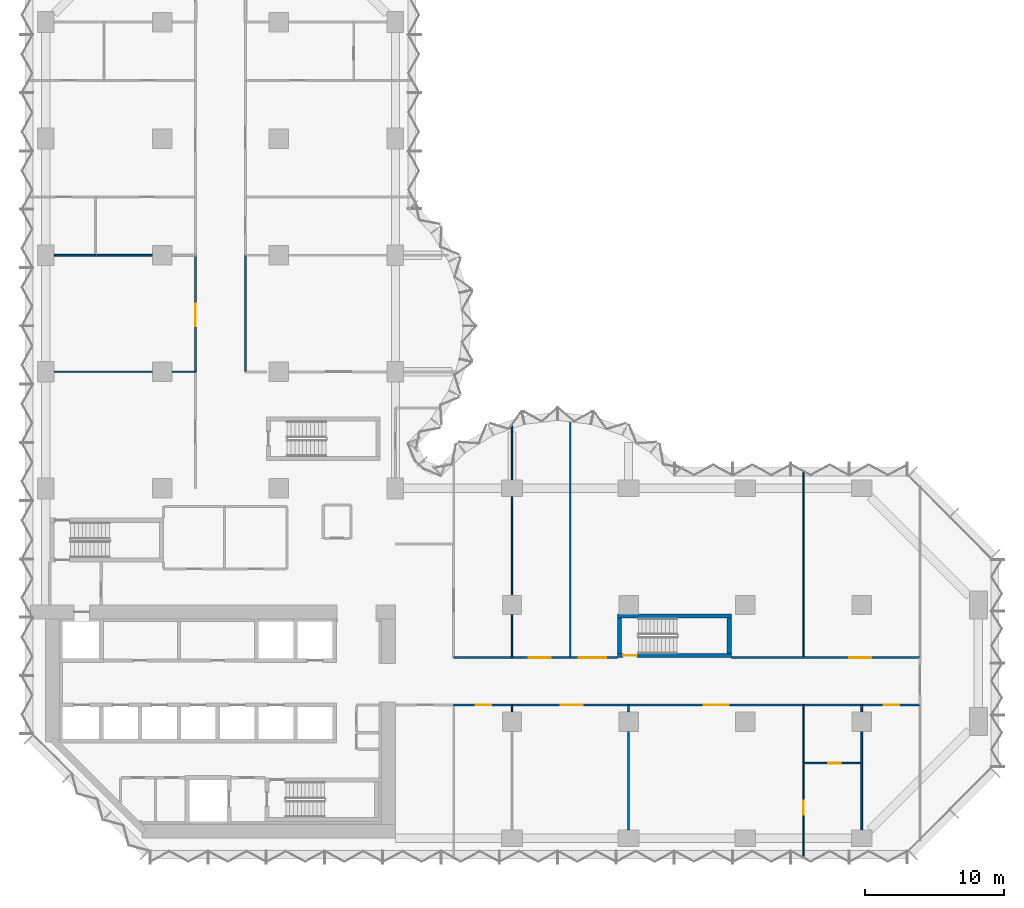
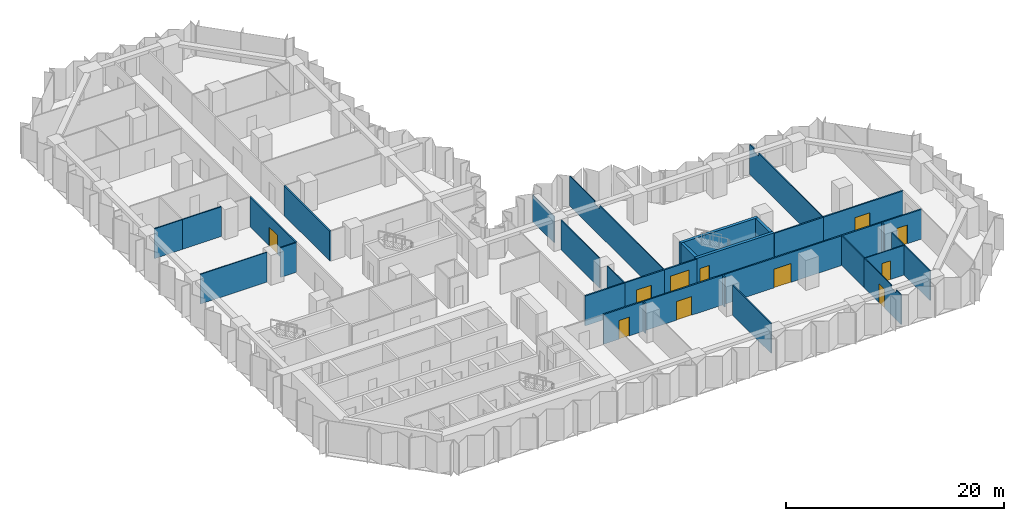
# One storey, part 10 of 15: 34 walls, 11 doors, 11 openings.
"""IFC4 building model written with IfcOpenShell, lengths in metres."""

from ifc_helpers import new_model, si_unit, direction, frame, frame_2d, origin, place, context, subcontext, project, spatial, polyline, rectangle, outline, extrude, material, layer, layer_set, type_object, element, fill, save


model = new_model("IFC4")

# Units and contexts
model_context = context("Model", 3, precision=1e-05, world=origin(), true_north=direction((0.0, 1.0)))
body_context = subcontext(model_context, "Body", "Model", "MODEL_VIEW")
ifc_project = project(units=[si_unit("LENGTHUNIT", "METRE"), si_unit("AREAUNIT", "SQUARE_METRE"), si_unit("VOLUMEUNIT", "CUBIC_METRE"), si_unit("PLANEANGLEUNIT", "RADIAN"), si_unit("MASSUNIT", "GRAM", prefix="KILO")], contexts=[model_context])

# Site, building, storey
site_placement = place(None, origin())
site = spatial("IfcSite", under=ifc_project, at=site_placement, CompositionType="ELEMENT")
building_placement = place(site_placement, origin())
building = spatial("IfcBuilding", under=site, at=building_placement, Name="Brevane Broadcast Tower", CompositionType="ELEMENT")
storey_placement = place(building_placement, frame((0.0, 0.0, 65.300048828125)))
storey = spatial("IfcBuildingStorey", under=building, at=storey_placement, Name="L14", CompositionType="ELEMENT", Elevation=65.300048828125)

# Wall, opening, door
ifc_material_1 = material(Name="Concrete C80/95", Category="concrete")
ifc_layer_1 = layer(ifc_material_1, 0.300048828125)
ifc_layer_set_1 = layer_set([ifc_layer_1], Name="Core wall 300 mm C80/95")
wall_type_1 = type_object("IfcWallType", Name="Core wall 300 mm C80/95", PredefinedType="SHEAR", material=ifc_layer_set_1)
wall_1_placement = place(storey_placement, frame((49.39990234375, 13.14990234375, 0.0), z_axis=(0.0, 0.0, 1.0), x_axis=(-1.0, 0.0, 0.0)))
wall_1 = element("IfcWall", 1, at=wall_1_placement, inside=storey, type_object=wall_type_1, Name="L14 stair wall ST-4-S", PredefinedType="SHEAR", context=body_context, shape_type="SweptSolid", body=[
    extrude(rectangle(XDim=8.199951171875, YDim=0.300048828125, at=frame_2d((4.10009765625, 0.0))), origin(), (0.0, 0.0, 1.0), 3.349853515625),
])
opening_1_placement = place(wall_1_placement, frame((6.800048828125, 0.0, 0.0)))
opening_1 = element("IfcOpeningElement", 2, at=opening_1_placement, cuts=wall_1, Name="Opening L14-K15", PredefinedType="OPENING", context=body_context, shape_type="SweptSolid", body=[
    extrude(rectangle(XDim=1.0, YDim=2.10009765625, at=frame_2d((0.5, 1.050048828125))), frame((0.0, 0.159912109375, 0.0), z_axis=(0.0, -1.0, 0.0), x_axis=(1.0, 0.0, 0.0)), (0.0, 0.0, 1.0), 0.320068359375),
])
ifc_material_2 = material(Name="Steel", Category="steel")
door_type_1 = type_object("IfcDoorType", Name="Stair door 1000 x 2100", OperationType="SINGLE_SWING_LEFT", PredefinedType="DOOR", material=ifc_material_2)
door_1_placement = place(opening_1_placement, origin())
door_1 = element("IfcDoor", 3, at=door_1_placement, inside=storey, type_object=door_type_1, Name="Door L14-K15", OperationType="SINGLE_SWING_RIGHT", OverallHeight=2.10009765625, OverallWidth=1.0, PredefinedType="DOOR", context=body_context, shape_type="SweptSolid", body=[
    extrude(rectangle(XDim=1.0, YDim=2.10009765625, at=frame_2d((0.5, 1.050048828125))), frame((0.0, 0.02490234375, 0.0), z_axis=(0.0, -1.0, 0.0), x_axis=(1.0, 0.0, 0.0)), (0.0, 0.0, 1.0), 0.050048828125),
])
fill(opening_1, door_1)

# Walls
wall_2_placement = place(storey_placement, frame((41.199951171875, 16.0, 0.0), z_axis=(0.0, 0.0, 1.0), x_axis=(1.0, 0.0, 0.0)))
element("IfcWall", 4, at=wall_2_placement, inside=storey, type_object=wall_type_1, Name="L14 stair wall ST-4-N", PredefinedType="SHEAR", context=body_context, shape_type="SweptSolid", body=[
    extrude(rectangle(XDim=8.199951171875, YDim=0.300048828125, at=frame_2d((4.10009765625, 0.0))), origin(), (0.0, 0.0, 1.0), 3.349853515625),
])
for number, where, z_axis, x_axis, name in (
    (5, (41.35009765625, 13.300048828125, 0.0), (0.0, 0.0, 1.0), (0.0, 1.0, 0.0), "L14 stair wall ST-4-W"),
    (6, (49.25, 13.300048828125, 0.0), (0.0, 0.0, 1.0), (0.0, 1.0, 0.0), "L14 stair wall ST-4-E"),
):
    element("IfcWall", number, at=place(storey_placement, frame(where, z_axis=z_axis, x_axis=x_axis)), inside=storey, type_object=wall_type_1, Name=name, PredefinedType="SHEAR", context=body_context, shape_type="SweptSolid", body=[
        extrude(rectangle(XDim=2.550048828125, YDim=0.300048828125, at=frame_2d((1.27490234375, 0.0))), origin(), (0.0, 0.0, 1.0), 3.349853515625),
    ])
ifc_material_3 = material(Name="Gypsum board partition")
ifc_layer_2 = layer(ifc_material_3, 0.10009765625)
ifc_layer_set_2 = layer_set([ifc_layer_2], Name="PARTITION 100 STUD")
wall_type_2 = type_object("IfcWallType", Name="PARTITION 100 STUD", PredefinedType="PARTITIONING", material=ifc_layer_set_2)
wall_3_placement = place(storey_placement, frame((33.60009765625, 9.60009765625, 0.0), z_axis=(0.0, 0.0, 1.0), x_axis=(0.0, -1.0, 0.0)))
element("IfcWall", 7, at=wall_3_placement, inside=storey, type_object=wall_type_2, Name="Partition G03-021", PredefinedType="PARTITIONING", context=body_context, shape_type="SweptSolid", body=[
    extrude(rectangle(XDim=0.47998046875, YDim=0.10009765625, at=frame_2d((0.239990234375, 0.0))), origin(), (0.0, 0.0, 1.0), 3.329833984375),
])

# Wall, opening, door
wall_4_placement = place(storey_placement, frame((54.60009765625, 5.39990234375, 0.0), z_axis=(0.0, 0.0, 1.0), x_axis=(0.0, -1.0, 0.0)))
wall_4 = element("IfcWall", 8, at=wall_4_placement, inside=storey, type_object=wall_type_2, Name="Partition G03-025", PredefinedType="PARTITIONING", context=body_context, shape_type="SweptSolid", body=[
    extrude(outline(polyline([(0.0, 0.0), (6.764892578125, 0.0), (6.764892578125, 3.329833984375), (6.5, 3.329833984375), (5.85009765625, 3.329833984375), (5.847900390625, 2.97998046875), (4.951904296875, 2.97998046875), (4.949951171875, 3.329833984375), (0.0, 3.329833984375), (0.0, 0.0)])), frame((0.0, 0.050048828125, 0.0), z_axis=(0.0, -1.0, 0.0), x_axis=(1.0, 0.0, 0.0)), (0.0, 0.0, 1.0), 0.10009765625),
])
opening_2_placement = place(wall_4_placement, frame((2.699951171875, 0.0, 0.0)))
opening_2 = element("IfcOpeningElement", 9, at=opening_2_placement, cuts=wall_4, Name="Opening D09-007", PredefinedType="OPENING", context=body_context, shape_type="SweptSolid", body=[
    extrude(rectangle(XDim=1.0, YDim=2.10009765625, at=frame_2d((0.5, 1.050048828125))), frame((0.0, 0.06005859375, 0.0), z_axis=(0.0, -1.0, 0.0), x_axis=(1.0, 0.0, 0.0)), (0.0, 0.0, 1.0), 0.1201171875),
])
ifc_material_4 = material(Name="Timber door leaf", Category="wood")
door_type_2 = type_object("IfcDoorType", Name="DOOR SINGLE 1000 INTERNAL", OperationType="SINGLE_SWING_LEFT", PredefinedType="DOOR", material=ifc_material_4)
door_2_placement = place(opening_2_placement, origin())
door_2 = element("IfcDoor", 10, at=door_2_placement, inside=storey, type_object=door_type_2, Name="Door D09-007", OperationType="SINGLE_SWING_LEFT", OverallHeight=2.10009765625, OverallWidth=1.0, PredefinedType="DOOR", context=body_context, shape_type="SweptSolid", body=[
    extrude(rectangle(XDim=1.0, YDim=2.10009765625, at=frame_2d((0.5, 1.050048828125))), frame((0.0, 0.02490234375, 0.0), z_axis=(0.0, -1.0, 0.0), x_axis=(1.0, 0.0, 0.0)), (0.0, 0.0, 1.0), 0.050048828125),
])
fill(opening_2, door_2)

# Wall
wall_5_placement = place(storey_placement, frame((54.60009765625, 9.60009765625, 0.0), z_axis=(0.0, 0.0, 1.0), x_axis=(0.0, -1.0, 0.0)))
element("IfcWall", 11, at=wall_5_placement, inside=storey, type_object=wall_type_2, Name="Partition G03-026", PredefinedType="PARTITIONING", context=body_context, shape_type="SweptSolid", body=[
    extrude(rectangle(XDim=4.2001953125, YDim=0.10009765625, at=frame_2d((2.10009765625, 0.0))), origin(), (0.0, 0.0, 1.0), 3.329833984375),
])

# Wall, opening, door
wall_6_placement = place(storey_placement, frame((54.60009765625, 5.39990234375, 0.0), z_axis=(0.0, 0.0, 1.0), x_axis=(1.0, 0.0, 0.0)))
wall_6 = element("IfcWall", 12, at=wall_6_placement, inside=storey, type_object=wall_type_2, Name="Partition G03-027", PredefinedType="PARTITIONING", context=body_context, shape_type="SweptSolid", body=[
    extrude(rectangle(XDim=4.199951171875, YDim=0.10009765625, at=frame_2d((2.10009765625, 0.0))), origin(), (0.0, 0.0, 1.0), 3.329833984375),
])
opening_3_placement = place(wall_6_placement, frame((1.800048828125, 0.0, 0.0)))
opening_3 = element("IfcOpeningElement", 13, at=opening_3_placement, cuts=wall_6, Name="Opening D09-008", PredefinedType="OPENING", context=body_context, shape_type="SweptSolid", body=[
    extrude(rectangle(XDim=0.89990234375, YDim=2.10009765625, at=frame_2d((0.449951171875, 1.050048828125))), frame((0.0, 0.06005859375, 0.0), z_axis=(0.0, -1.0, 0.0), x_axis=(1.0, 0.0, 0.0)), (0.0, 0.0, 1.0), 0.1201171875),
])
door_type_3 = type_object("IfcDoorType", Name="DOOR SINGLE 900 INTERNAL", OperationType="SINGLE_SWING_LEFT", PredefinedType="DOOR", material=ifc_material_4)
door_3_placement = place(opening_3_placement, origin())
door_3 = element("IfcDoor", 14, at=door_3_placement, inside=storey, type_object=door_type_3, Name="Door D09-008", OperationType="SINGLE_SWING_LEFT", OverallHeight=2.10009765625, OverallWidth=0.89990234375, PredefinedType="DOOR", context=body_context, shape_type="SweptSolid", body=[
    extrude(rectangle(XDim=0.89990234375, YDim=2.10009765625, at=frame_2d((0.449951171875, 1.050048828125))), frame((0.0, 0.02490234375, 0.0), z_axis=(0.0, -1.0, 0.0), x_axis=(1.0, 0.0, 0.0)), (0.0, 0.0, 1.0), 0.050048828125),
])
fill(opening_3, door_3)

# Walls
wall_7_placement = place(storey_placement, frame((33.60009765625, 29.761962890625, 0.0), z_axis=(0.0, 0.0, 1.0), x_axis=(0.0, -1.0, 0.0)))
element("IfcWall", 15, at=wall_7_placement, inside=storey, type_object=wall_type_2, Name="Partition G03-031", PredefinedType="PARTITIONING", context=body_context, shape_type="SweptSolid", body=[
    extrude(rectangle(XDim=3.94189453125, YDim=0.10009765625, at=frame_2d((1.970947265625, 0.0))), origin(), (0.0, 0.0, 1.0), 2.97998046875),
])
wall_8_placement = place(storey_placement, frame((33.60009765625, 24.580078125, 0.0), z_axis=(0.0, 0.0, 1.0), x_axis=(0.0, -1.0, 0.0)))
element("IfcWall", 16, at=wall_8_placement, inside=storey, type_object=wall_type_2, Name="Partition G03-032", PredefinedType="PARTITIONING", context=body_context, shape_type="SweptSolid", body=[
    extrude(rectangle(XDim=7.06005859375, YDim=0.10009765625, at=frame_2d((3.530029296875, 0.0))), origin(), (0.0, 0.0, 1.0), 3.329833984375),
])
wall_9_placement = place(storey_placement, frame((33.60009765625, 16.080078125, 0.0), z_axis=(0.0, 0.0, 1.0), x_axis=(0.0, -1.0, 0.0)))
element("IfcWall", 17, at=wall_9_placement, inside=storey, type_object=wall_type_2, Name="Partition G03-033", PredefinedType="PARTITIONING", context=body_context, shape_type="SweptSolid", body=[
    extrude(rectangle(XDim=3.080078125, YDim=0.10009765625, at=frame_2d((1.5400390625, 0.0))), origin(), (0.0, 0.0, 1.0), 3.329833984375),
])
wall_10_placement = place(storey_placement, frame((37.800048828125, 30.24267578125, 0.0), z_axis=(0.0, 0.0, 1.0), x_axis=(0.0, -1.0, 0.0)))
element("IfcWall", 18, at=wall_10_placement, inside=storey, type_object=wall_type_2, Name="Partition G03-034", PredefinedType="PARTITIONING", context=body_context, shape_type="SweptSolid", body=[
    extrude(outline(polyline([(0.0, 0.0), (17.24267578125, 0.0), (17.24267578125, 3.329833984375), (5.49267578125, 3.329833984375), (5.49072265625, 2.97998046875), (4.5947265625, 2.97998046875), (4.5927734375, 3.329833984375), (0.0, 3.329833984375), (0.0, 0.0)])), frame((0.0, 0.050048828125, 0.0), z_axis=(0.0, -1.0, 0.0), x_axis=(1.0, 0.0, 0.0)), (0.0, 0.0, 1.0), 0.10009765625),
])
wall_11_placement = place(storey_placement, frame((54.60009765625, 26.3740234375, 0.0), z_axis=(0.0, 0.0, 1.0), x_axis=(0.0, -1.0, 0.0)))
element("IfcWall", 19, at=wall_11_placement, inside=storey, type_object=wall_type_2, Name="Partition G03-035", PredefinedType="PARTITIONING", context=body_context, shape_type="SweptSolid", body=[
    extrude(outline(polyline([(0.0, 0.0), (13.3740234375, 0.0), (13.3740234375, 3.329833984375), (1.6240234375, 3.329833984375), (1.6220703125, 2.97998046875), (0.72607421875, 2.97998046875), (0.72412109375, 3.329833984375), (0.073974609375, 3.329833984375), (0.0, 3.329833984375), (0.0, 0.0)])), frame((0.0, 0.050048828125, 0.0), z_axis=(0.0, -1.0, 0.0), x_axis=(1.0, 0.0, 0.0)), (0.0, 0.0, 1.0), 0.10009765625),
])
wall_12_placement = place(storey_placement, frame((0.6201171875, 33.60009765625, 0.0), z_axis=(0.0, 0.0, 1.0), x_axis=(1.0, 0.0, 0.0)))
element("IfcWall", 20, at=wall_12_placement, inside=storey, type_object=wall_type_2, Name="Partition G03-051", PredefinedType="PARTITIONING", context=body_context, shape_type="SweptSolid", body=[
    extrude(rectangle(XDim=7.059814453125, YDim=0.10009765625, at=frame_2d((3.52978515625, 0.0))), origin(), (0.0, 0.0, 1.0), 3.329833984375),
])
wall_13_placement = place(storey_placement, frame((9.1201171875, 33.60009765625, 0.0), z_axis=(0.0, 0.0, 1.0), x_axis=(1.0, 0.0, 0.0)))
element("IfcWall", 21, at=wall_13_placement, inside=storey, type_object=wall_type_2, Name="Partition G03-052", PredefinedType="PARTITIONING", context=body_context, shape_type="SweptSolid", body=[
    extrude(rectangle(XDim=1.679931640625, YDim=0.10009765625, at=frame_2d((0.83984375, 0.0))), origin(), (0.0, 0.0, 1.0), 3.329833984375),
])
ifc_layer_3 = layer(ifc_material_3, 0.125)
ifc_layer_set_3 = layer_set([ifc_layer_3], Name="PARTITION 125 ACOUSTIC")
wall_type_3 = type_object("IfcWallType", Name="PARTITION 125 ACOUSTIC", PredefinedType="PARTITIONING", material=ifc_layer_set_3)
wall_14_placement = place(storey_placement, frame((42.0, 9.60009765625, 0.0), z_axis=(0.0, 0.0, 1.0), x_axis=(0.0, -1.0, 0.0)))
element("IfcWall", 22, at=wall_14_placement, inside=storey, type_object=wall_type_3, Name="Partition G03-023", PredefinedType="PARTITIONING", context=body_context, shape_type="SweptSolid", body=[
    extrude(rectangle(XDim=0.47998046875, YDim=0.125, at=frame_2d((0.239990234375, 0.0))), origin(), (0.0, 0.0, 1.0), 3.329833984375),
])
wall_15_placement = place(storey_placement, frame((42.0, 7.679931640625, 0.0), z_axis=(0.0, 0.0, 1.0), x_axis=(0.0, -1.0, 0.0)))
element("IfcWall", 23, at=wall_15_placement, inside=storey, type_object=wall_type_3, Name="Partition G03-024", PredefinedType="PARTITIONING", context=body_context, shape_type="SweptSolid", body=[
    extrude(rectangle(XDim=7.059814453125, YDim=0.125, at=frame_2d((3.52978515625, 0.0))), origin(), (0.0, 0.0, 1.0), 3.329833984375),
])
wall_16_placement = place(storey_placement, frame((58.800048828125, 5.39990234375, 0.0), z_axis=(0.0, 0.0, 1.0), x_axis=(0.0, -1.0, 0.0)))
element("IfcWall", 24, at=wall_16_placement, inside=storey, type_object=wall_type_3, Name="Partition G03-028", PredefinedType="PARTITIONING", context=body_context, shape_type="SweptSolid", body=[
    extrude(rectangle(XDim=4.77978515625, YDim=0.125, at=frame_2d((2.389892578125, 0.0))), origin(), (0.0, 0.0, 1.0), 3.329833984375),
])
wall_17_placement = place(storey_placement, frame((58.800048828125, 9.60009765625, 0.0), z_axis=(0.0, 0.0, 1.0), x_axis=(0.0, -1.0, 0.0)))
element("IfcWall", 25, at=wall_17_placement, inside=storey, type_object=wall_type_3, Name="Partition G03-029", PredefinedType="PARTITIONING", context=body_context, shape_type="SweptSolid", body=[
    extrude(rectangle(XDim=0.47998046875, YDim=0.125, at=frame_2d((0.239990234375, 0.0))), origin(), (0.0, 0.0, 1.0), 3.329833984375),
])
wall_18_placement = place(storey_placement, frame((58.800048828125, 7.679931640625, 0.0), z_axis=(0.0, 0.0, 1.0), x_axis=(0.0, -1.0, 0.0)))
element("IfcWall", 26, at=wall_18_placement, inside=storey, type_object=wall_type_3, Name="Partition G03-030", PredefinedType="PARTITIONING", context=body_context, shape_type="SweptSolid", body=[
    extrude(rectangle(XDim=2.280029296875, YDim=0.125, at=frame_2d((1.14013671875, 0.0))), origin(), (0.0, 0.0, 1.0), 3.329833984375),
])
wall_19_placement = place(storey_placement, frame((0.6201171875, 42.0, 0.0), z_axis=(0.0, 0.0, 1.0), x_axis=(1.0, 0.0, 0.0)))
element("IfcWall", 27, at=wall_19_placement, inside=storey, type_object=wall_type_3, Name="Partition G03-053", PredefinedType="PARTITIONING", context=body_context, shape_type="SweptSolid", body=[
    extrude(rectangle(XDim=2.97998046875, YDim=0.125, at=frame_2d((1.489990234375, 0.0))), origin(), (0.0, 0.0, 1.0), 3.329833984375),
])
wall_20_placement = place(storey_placement, frame((3.60009765625, 42.0, 0.0), z_axis=(0.0, 0.0, 1.0), x_axis=(1.0, 0.0, 0.0)))
element("IfcWall", 28, at=wall_20_placement, inside=storey, type_object=wall_type_3, Name="Partition G03-054", PredefinedType="PARTITIONING", context=body_context, shape_type="SweptSolid", body=[
    extrude(rectangle(XDim=4.079833984375, YDim=0.125, at=frame_2d((2.0400390625, 0.0))), origin(), (0.0, 0.0, 1.0), 3.329833984375),
])

# Wall, opening, door
ifc_layer_4 = layer(ifc_material_3, 0.14990234375)
ifc_layer_set_4 = layer_set([ifc_layer_4], Name="PARTITION 150 EI 60")
wall_type_4 = type_object("IfcWallType", Name="PARTITION 150 EI 60", PredefinedType="PARTITIONING", material=ifc_layer_set_4)
wall_21_placement = place(storey_placement, frame((33.60009765625, 9.60009765625, 0.0), z_axis=(0.0, 0.0, 1.0), x_axis=(-1.0, 0.0, 0.0)))
wall_21 = element("IfcWall", 29, at=wall_21_placement, inside=storey, type_object=wall_type_4, Name="Partition G03-008", PredefinedType="PARTITIONING", context=body_context, shape_type="SweptSolid", body=[
    extrude(rectangle(XDim=4.2001953125, YDim=0.14990234375, at=frame_2d((2.10009765625, 0.0))), origin(), (0.0, 0.0, 1.0), 3.329833984375),
])
opening_4_placement = place(wall_21_placement, frame((1.5, 0.0, 0.0)))
opening_4 = element("IfcOpeningElement", 30, at=opening_4_placement, cuts=wall_21, Name="Opening D09-004", PredefinedType="OPENING", context=body_context, shape_type="SweptSolid", body=[
    extrude(rectangle(XDim=1.10009765625, YDim=2.10009765625, at=frame_2d((0.550048828125, 1.050048828125))), frame((0.0, 0.0849609375, 0.0), z_axis=(0.0, -1.0, 0.0), x_axis=(1.0, 0.0, 0.0)), (0.0, 0.0, 1.0), 0.169921875),
])
ifc_material_5 = material(Name="Fire-rated timber door leaf", Category="wood")
door_type_4 = type_object("IfcDoorType", Name="DOOR SINGLE 1100 FD30S", OperationType="SINGLE_SWING_LEFT", PredefinedType="DOOR", material=ifc_material_5)
door_4_placement = place(opening_4_placement, origin())
door_4 = element("IfcDoor", 31, at=door_4_placement, inside=storey, type_object=door_type_4, Name="Door D09-004", OperationType="SINGLE_SWING_LEFT", OverallHeight=2.10009765625, OverallWidth=1.10009765625, PredefinedType="DOOR", context=body_context, shape_type="SweptSolid", body=[
    extrude(rectangle(XDim=1.10009765625, YDim=2.10009765625, at=frame_2d((0.550048828125, 1.050048828125))), frame((0.0, 0.02490234375, 0.0), z_axis=(0.0, -1.0, 0.0), x_axis=(1.0, 0.0, 0.0)), (0.0, 0.0, 1.0), 0.050048828125),
])
fill(opening_4, door_4)

wall_22_placement = place(storey_placement, frame((42.0, 9.60009765625, 0.0), z_axis=(0.0, 0.0, 1.0), x_axis=(-1.0, 0.0, 0.0)))
wall_22 = element("IfcWall", 32, at=wall_22_placement, inside=storey, type_object=wall_type_4, Name="Partition G03-009", PredefinedType="PARTITIONING", context=body_context, shape_type="SweptSolid", body=[
    extrude(rectangle(XDim=8.39990234375, YDim=0.14990234375, at=frame_2d((4.199951171875, 0.0))), origin(), (0.0, 0.0, 1.0), 3.329833984375),
])
opening_5_placement = place(wall_22_placement, frame((3.300048828125, 0.0, 0.0)))
opening_5 = element("IfcOpeningElement", 33, at=opening_5_placement, cuts=wall_22, Name="Opening D09-005", PredefinedType="OPENING", context=body_context, shape_type="SweptSolid", body=[
    extrude(rectangle(XDim=1.60009765625, YDim=2.10009765625, at=frame_2d((0.800048828125, 1.050048828125))), frame((0.0, 0.0849609375, 0.0), z_axis=(0.0, -1.0, 0.0), x_axis=(1.0, 0.0, 0.0)), (0.0, 0.0, 1.0), 0.169921875),
])
door_type_5 = type_object("IfcDoorType", Name="DOOR DOUBLE 1600 FD30S", OperationType="DOUBLE_DOOR_SINGLE_SWING", PredefinedType="DOOR", material=ifc_material_5)
door_5_placement = place(opening_5_placement, origin())
door_5 = element("IfcDoor", 34, at=door_5_placement, inside=storey, type_object=door_type_5, Name="Door D09-005", OperationType="DOUBLE_DOOR_SINGLE_SWING", OverallHeight=2.10009765625, OverallWidth=1.60009765625, PredefinedType="DOOR", context=body_context, shape_type="SweptSolid", body=[
    extrude(rectangle(XDim=1.60009765625, YDim=2.10009765625, at=frame_2d((0.800048828125, 1.050048828125))), frame((0.0, 0.02490234375, 0.0), z_axis=(0.0, -1.0, 0.0), x_axis=(1.0, 0.0, 0.0)), (0.0, 0.0, 1.0), 0.050048828125),
])
fill(opening_5, door_5)

wall_23_placement = place(storey_placement, frame((54.60009765625, 9.60009765625, 0.0), z_axis=(0.0, 0.0, 1.0), x_axis=(-1.0, 0.0, 0.0)))
wall_23 = element("IfcWall", 35, at=wall_23_placement, inside=storey, type_object=wall_type_4, Name="Partition G03-010", PredefinedType="PARTITIONING", context=body_context, shape_type="SweptSolid", body=[
    extrude(rectangle(XDim=12.60009765625, YDim=0.14990234375, at=frame_2d((6.300048828125, 0.0))), origin(), (0.0, 0.0, 1.0), 3.329833984375),
])
opening_6_placement = place(wall_23_placement, frame((5.39990234375, 0.0, 0.0)))
opening_6 = element("IfcOpeningElement", 36, at=opening_6_placement, cuts=wall_23, Name="Opening D09-006", PredefinedType="OPENING", context=body_context, shape_type="SweptSolid", body=[
    extrude(rectangle(XDim=1.800048828125, YDim=2.10009765625, at=frame_2d((0.89990234375, 1.050048828125))), frame((0.0, 0.0849609375, 0.0), z_axis=(0.0, -1.0, 0.0), x_axis=(1.0, 0.0, 0.0)), (0.0, 0.0, 1.0), 0.169921875),
])
door_type_6 = type_object("IfcDoorType", Name="DOOR DOUBLE 1800 FD30S", OperationType="DOUBLE_DOOR_SINGLE_SWING", PredefinedType="DOOR", material=ifc_material_5)
door_6_placement = place(opening_6_placement, origin())
door_6 = element("IfcDoor", 37, at=door_6_placement, inside=storey, type_object=door_type_6, Name="Door D09-006", OperationType="DOUBLE_DOOR_SINGLE_SWING", OverallHeight=2.10009765625, OverallWidth=1.800048828125, PredefinedType="DOOR", context=body_context, shape_type="SweptSolid", body=[
    extrude(rectangle(XDim=1.800048828125, YDim=2.10009765625, at=frame_2d((0.89990234375, 1.050048828125))), frame((0.0, 0.02490234375, 0.0), z_axis=(0.0, -1.0, 0.0), x_axis=(1.0, 0.0, 0.0)), (0.0, 0.0, 1.0), 0.050048828125),
])
fill(opening_6, door_6)

# Wall
wall_24_placement = place(storey_placement, frame((58.800048828125, 9.60009765625, 0.0), z_axis=(0.0, 0.0, 1.0), x_axis=(-1.0, 0.0, 0.0)))
element("IfcWall", 38, at=wall_24_placement, inside=storey, type_object=wall_type_4, Name="Partition G03-011", PredefinedType="PARTITIONING", context=body_context, shape_type="SweptSolid", body=[
    extrude(rectangle(XDim=4.199951171875, YDim=0.14990234375, at=frame_2d((2.10009765625, 0.0))), origin(), (0.0, 0.0, 1.0), 3.329833984375),
])

# Wall, opening, door
wall_25_placement = place(storey_placement, frame((63.0, 9.60009765625, 0.0), z_axis=(0.0, 0.0, 1.0), x_axis=(-1.0, 0.0, 0.0)))
wall_25 = element("IfcWall", 39, at=wall_25_placement, inside=storey, type_object=wall_type_4, Name="Partition G03-012", PredefinedType="PARTITIONING", context=body_context, shape_type="SweptSolid", body=[
    extrude(rectangle(XDim=4.199951171875, YDim=0.14990234375, at=frame_2d((2.10009765625, 0.0))), origin(), (0.0, 0.0, 1.0), 3.329833984375),
])
opening_7_placement = place(wall_25_placement, frame((1.5, 0.0, 0.0)))
opening_7 = element("IfcOpeningElement", 40, at=opening_7_placement, cuts=wall_25, Name="Opening D09-009", PredefinedType="OPENING", context=body_context, shape_type="SweptSolid", body=[
    extrude(rectangle(XDim=1.10009765625, YDim=2.10009765625, at=frame_2d((0.550048828125, 1.050048828125))), frame((0.0, 0.0849609375, 0.0), z_axis=(0.0, -1.0, 0.0), x_axis=(1.0, 0.0, 0.0)), (0.0, 0.0, 1.0), 0.169921875),
])
door_7_placement = place(opening_7_placement, origin())
door_7 = element("IfcDoor", 41, at=door_7_placement, inside=storey, type_object=door_type_4, Name="Door D09-009", OperationType="SINGLE_SWING_LEFT", OverallHeight=2.10009765625, OverallWidth=1.10009765625, PredefinedType="DOOR", context=body_context, shape_type="SweptSolid", body=[
    extrude(rectangle(XDim=1.10009765625, YDim=2.10009765625, at=frame_2d((0.550048828125, 1.050048828125))), frame((0.0, 0.02490234375, 0.0), z_axis=(0.0, -1.0, 0.0), x_axis=(1.0, 0.0, 0.0)), (0.0, 0.0, 1.0), 0.050048828125),
])
fill(opening_7, door_7)

# Wall
wall_26_placement = place(storey_placement, frame((29.39990234375, 13.0, 0.0), z_axis=(0.0, 0.0, 1.0), x_axis=(1.0, 0.0, 0.0)))
element("IfcWall", 42, at=wall_26_placement, inside=storey, type_object=wall_type_4, Name="Partition G03-013", PredefinedType="PARTITIONING", context=body_context, shape_type="SweptSolid", body=[
    extrude(rectangle(XDim=4.2001953125, YDim=0.14990234375, at=frame_2d((2.10009765625, 0.0))), origin(), (0.0, 0.0, 1.0), 3.329833984375),
])

# Wall, opening, door
wall_27_placement = place(storey_placement, frame((33.60009765625, 13.0, 0.0), z_axis=(0.0, 0.0, 1.0), x_axis=(1.0, 0.0, 0.0)))
wall_27 = element("IfcWall", 43, at=wall_27_placement, inside=storey, type_object=wall_type_4, Name="Partition G03-014", PredefinedType="PARTITIONING", context=body_context, shape_type="SweptSolid", body=[
    extrude(rectangle(XDim=4.199951171875, YDim=0.14990234375, at=frame_2d((2.10009765625, 0.0))), origin(), (0.0, 0.0, 1.0), 3.329833984375),
])
opening_8_placement = place(wall_27_placement, frame((1.199951171875, 0.0, 0.0)))
opening_8 = element("IfcOpeningElement", 44, at=opening_8_placement, cuts=wall_27, Name="Opening D09-011", PredefinedType="OPENING", context=body_context, shape_type="SweptSolid", body=[
    extrude(rectangle(XDim=1.60009765625, YDim=2.10009765625, at=frame_2d((0.800048828125, 1.050048828125))), frame((0.0, 0.0849609375, 0.0), z_axis=(0.0, -1.0, 0.0), x_axis=(1.0, 0.0, 0.0)), (0.0, 0.0, 1.0), 0.169921875),
])
door_8_placement = place(opening_8_placement, origin())
door_8 = element("IfcDoor", 45, at=door_8_placement, inside=storey, type_object=door_type_5, Name="Door D09-011", OperationType="DOUBLE_DOOR_SINGLE_SWING", OverallHeight=2.10009765625, OverallWidth=1.60009765625, PredefinedType="DOOR", context=body_context, shape_type="SweptSolid", body=[
    extrude(rectangle(XDim=1.60009765625, YDim=2.10009765625, at=frame_2d((0.800048828125, 1.050048828125))), frame((0.0, 0.02490234375, 0.0), z_axis=(0.0, -1.0, 0.0), x_axis=(1.0, 0.0, 0.0)), (0.0, 0.0, 1.0), 0.050048828125),
])
fill(opening_8, door_8)

wall_28_placement = place(storey_placement, frame((37.800048828125, 13.0, 0.0), z_axis=(0.0, 0.0, 1.0), x_axis=(1.0, 0.0, 0.0)))
wall_28 = element("IfcWall", 46, at=wall_28_placement, inside=storey, type_object=wall_type_4, Name="Partition G03-015", PredefinedType="PARTITIONING", context=body_context, shape_type="SweptSolid", body=[
    extrude(rectangle(XDim=3.39990234375, YDim=0.14990234375, at=frame_2d((1.699951171875, 0.0))), origin(), (0.0, 0.0, 1.0), 3.329833984375),
])
opening_9_placement = place(wall_28_placement, frame((0.60009765625, 0.0, 0.0)))
opening_9 = element("IfcOpeningElement", 47, at=opening_9_placement, cuts=wall_28, Name="Opening D09-012", PredefinedType="OPENING", context=body_context, shape_type="SweptSolid", body=[
    extrude(rectangle(XDim=2.0, YDim=2.39990234375, at=frame_2d((1.0, 1.199951171875))), frame((0.0, 0.0849609375, 0.0), z_axis=(0.0, -1.0, 0.0), x_axis=(1.0, 0.0, 0.0)), (0.0, 0.0, 1.0), 0.169921875),
])
door_type_7 = type_object("IfcDoorType", Name="DOOR DOUBLE 2000 FD30S", OperationType="DOUBLE_DOOR_SINGLE_SWING", PredefinedType="DOOR", material=ifc_material_5)
door_9_placement = place(opening_9_placement, origin())
door_9 = element("IfcDoor", 48, at=door_9_placement, inside=storey, type_object=door_type_7, Name="Door D09-012", OperationType="DOUBLE_DOOR_SINGLE_SWING", OverallHeight=2.39990234375, OverallWidth=2.0, PredefinedType="DOOR", context=body_context, shape_type="SweptSolid", body=[
    extrude(rectangle(XDim=2.0, YDim=2.39990234375, at=frame_2d((1.0, 1.199951171875))), frame((0.0, 0.02490234375, 0.0), z_axis=(0.0, -1.0, 0.0), x_axis=(1.0, 0.0, 0.0)), (0.0, 0.0, 1.0), 0.050048828125),
])
fill(opening_9, door_9)

# Wall
wall_29_placement = place(storey_placement, frame((49.39990234375, 13.0, 0.0), z_axis=(0.0, 0.0, 1.0), x_axis=(1.0, 0.0, 0.0)))
element("IfcWall", 49, at=wall_29_placement, inside=storey, type_object=wall_type_4, Name="Partition G03-016", PredefinedType="PARTITIONING", context=body_context, shape_type="SweptSolid", body=[
    extrude(rectangle(XDim=5.2001953125, YDim=0.14990234375, at=frame_2d((2.60009765625, 0.0))), origin(), (0.0, 0.0, 1.0), 3.329833984375),
])

# Wall, opening, door
wall_30_placement = place(storey_placement, frame((54.60009765625, 13.0, 0.0), z_axis=(0.0, 0.0, 1.0), x_axis=(1.0, 0.0, 0.0)))
wall_30 = element("IfcWall", 50, at=wall_30_placement, inside=storey, type_object=wall_type_4, Name="Partition G03-017", PredefinedType="PARTITIONING", context=body_context, shape_type="SweptSolid", body=[
    extrude(rectangle(XDim=8.39990234375, YDim=0.14990234375, at=frame_2d((4.199951171875, 0.0))), origin(), (0.0, 0.0, 1.0), 3.329833984375),
])
opening_10_placement = place(wall_30_placement, frame((3.300048828125, 0.0, 0.0)))
opening_10 = element("IfcOpeningElement", 51, at=opening_10_placement, cuts=wall_30, Name="Opening D09-013", PredefinedType="OPENING", context=body_context, shape_type="SweptSolid", body=[
    extrude(rectangle(XDim=1.60009765625, YDim=2.10009765625, at=frame_2d((0.800048828125, 1.050048828125))), frame((0.0, 0.0849609375, 0.0), z_axis=(0.0, -1.0, 0.0), x_axis=(1.0, 0.0, 0.0)), (0.0, 0.0, 1.0), 0.169921875),
])
door_10_placement = place(opening_10_placement, origin())
door_10 = element("IfcDoor", 52, at=door_10_placement, inside=storey, type_object=door_type_5, Name="Door D09-013", OperationType="DOUBLE_DOOR_SINGLE_SWING", OverallHeight=2.10009765625, OverallWidth=1.60009765625, PredefinedType="DOOR", context=body_context, shape_type="SweptSolid", body=[
    extrude(rectangle(XDim=1.60009765625, YDim=2.10009765625, at=frame_2d((0.800048828125, 1.050048828125))), frame((0.0, 0.02490234375, 0.0), z_axis=(0.0, -1.0, 0.0), x_axis=(1.0, 0.0, 0.0)), (0.0, 0.0, 1.0), 0.050048828125),
])
fill(opening_10, door_10)

wall_31_placement = place(storey_placement, frame((10.800048828125, 33.60009765625, 0.0), z_axis=(0.0, 0.0, 1.0), x_axis=(0.0, 1.0, 0.0)))
wall_31 = element("IfcWall", 53, at=wall_31_placement, inside=storey, type_object=wall_type_4, Name="Partition G03-040", PredefinedType="PARTITIONING", context=body_context, shape_type="SweptSolid", body=[
    extrude(rectangle(XDim=8.39990234375, YDim=0.14990234375, at=frame_2d((4.199951171875, 0.0))), origin(), (0.0, 0.0, 1.0), 3.329833984375),
])
opening_11_placement = place(wall_31_placement, frame((3.300048828125, 0.0, 0.0)))
opening_11 = element("IfcOpeningElement", 54, at=opening_11_placement, cuts=wall_31, Name="Opening D09-015", PredefinedType="OPENING", context=body_context, shape_type="SweptSolid", body=[
    extrude(rectangle(XDim=1.60009765625, YDim=2.10009765625, at=frame_2d((0.800048828125, 1.050048828125))), frame((0.0, 0.0849609375, 0.0), z_axis=(0.0, -1.0, 0.0), x_axis=(1.0, 0.0, 0.0)), (0.0, 0.0, 1.0), 0.169921875),
])
door_11_placement = place(opening_11_placement, origin())
door_11 = element("IfcDoor", 55, at=door_11_placement, inside=storey, type_object=door_type_5, Name="Door D09-015", OperationType="DOUBLE_DOOR_SINGLE_SWING", OverallHeight=2.10009765625, OverallWidth=1.60009765625, PredefinedType="DOOR", context=body_context, shape_type="SweptSolid", body=[
    extrude(rectangle(XDim=1.60009765625, YDim=2.10009765625, at=frame_2d((0.800048828125, 1.050048828125))), frame((0.0, 0.02490234375, 0.0), z_axis=(0.0, -1.0, 0.0), x_axis=(1.0, 0.0, 0.0)), (0.0, 0.0, 1.0), 0.050048828125),
])
fill(opening_11, door_11)

# Wall
wall_32_placement = place(storey_placement, frame((14.39990234375, 42.0, 0.0), z_axis=(0.0, 0.0, 1.0), x_axis=(0.0, -1.0, 0.0)))
element("IfcWall", 56, at=wall_32_placement, inside=storey, type_object=wall_type_4, Name="Partition G03-046", PredefinedType="PARTITIONING", context=body_context, shape_type="SweptSolid", body=[
    extrude(rectangle(XDim=8.39990234375, YDim=0.14990234375, at=frame_2d((4.199951171875, 0.0))), origin(), (0.0, 0.0, 1.0), 3.329833984375),
])

save(model, "model.ifc")
